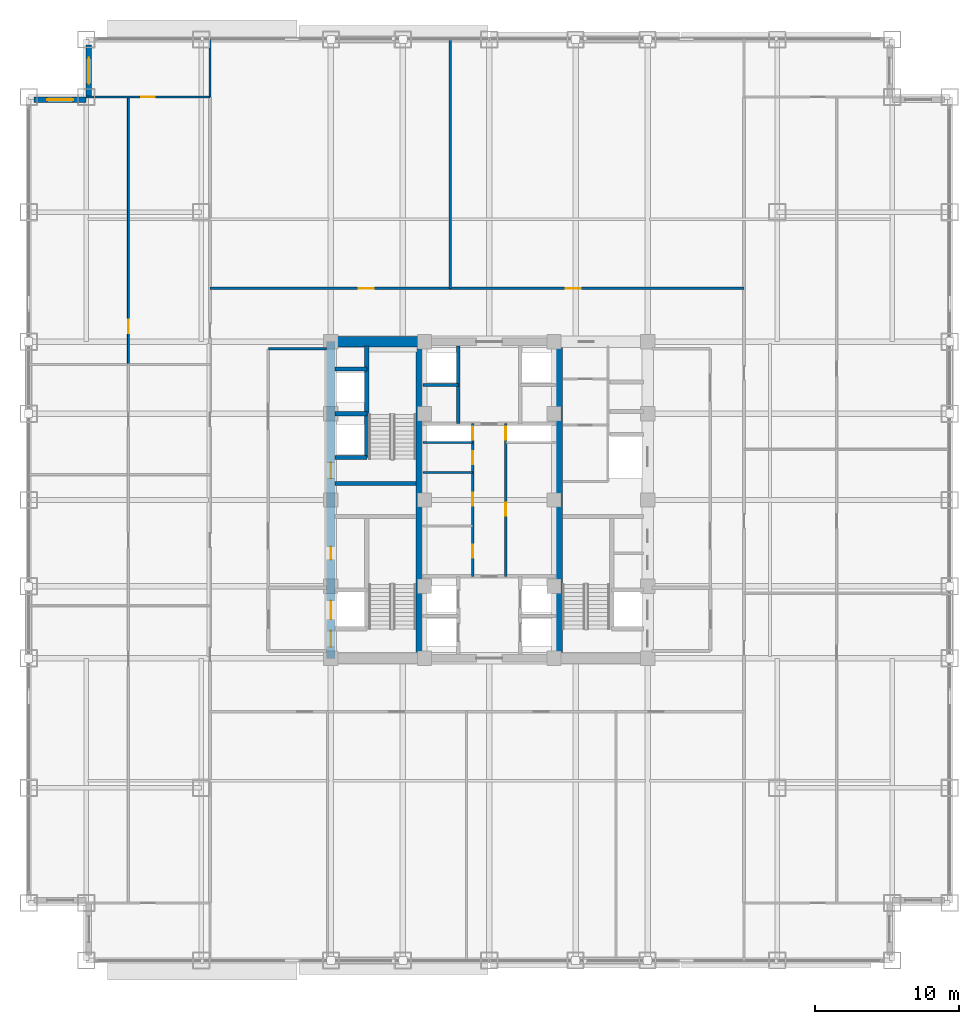
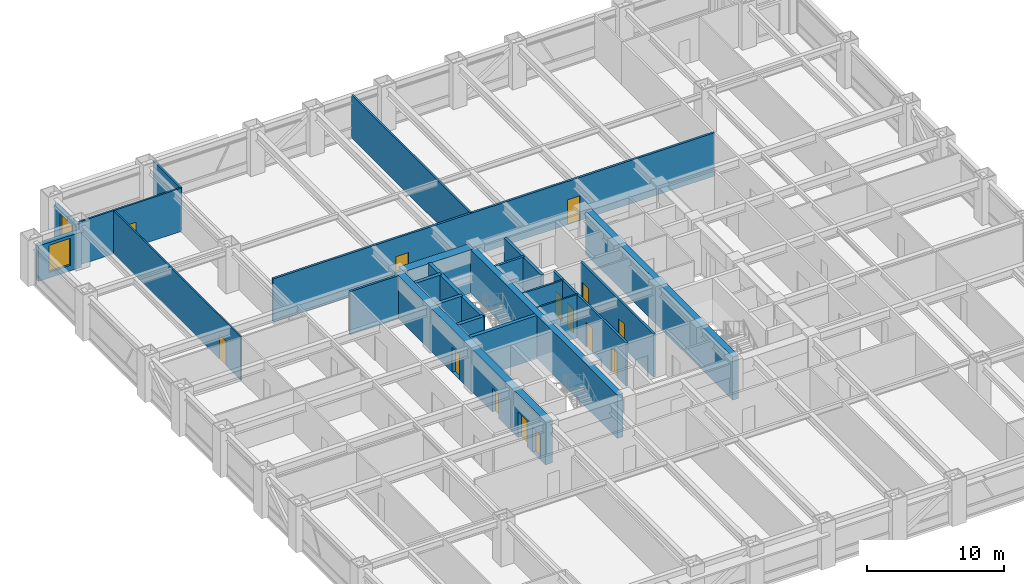
# One storey, part 25 of 32: 23 walls, 14 doors, 2 windows, 16 openings.
"""IFC4 building model written with IfcOpenShell, lengths in metres."""

from ifc_helpers import new_model, si_unit, direction, frame, frame_2d, origin, place, context, subcontext, project, spatial, rectangle, extrude, source, transform, mapped, material, layer, layer_set, type_object, element, fill, save


model = new_model("IFC4")

# Units and contexts
model_context = context("Model", 3, precision=1e-05, world=origin(), true_north=direction((0.0, 1.0)))
body_context = subcontext(model_context, "Body", "Model", "MODEL_VIEW")
ifc_project = project(units=[si_unit("LENGTHUNIT", "METRE"), si_unit("AREAUNIT", "SQUARE_METRE"), si_unit("VOLUMEUNIT", "CUBIC_METRE"), si_unit("PLANEANGLEUNIT", "RADIAN"), si_unit("MASSUNIT", "GRAM", prefix="KILO")], contexts=[model_context])

# Site, building, storey
site_placement = place(None, origin())
site = spatial("IfcSite", under=ifc_project, at=site_placement, CompositionType="ELEMENT")
building_placement = place(site_placement, origin())
building = spatial("IfcBuilding", under=site, at=building_placement, Name="Khorayat Bourse Tower", CompositionType="ELEMENT")
storey_placement = place(building_placement, frame((0.0, 0.0, 132.39990234375)))
storey = spatial("IfcBuildingStorey", under=building, at=storey_placement, Name="L30", CompositionType="ELEMENT", Elevation=132.39990234375)

# Wall, openings, doors
ifc_material_1 = material(Name="Concrete C60/75", Category="concrete")
ifc_layer_1 = layer(ifc_material_1, 0.60009765625)
ifc_layer_set_1 = layer_set([ifc_layer_1], Name="Concrete C60/75")
wall_type_1 = type_object("IfcWallType", Name="WAL-CORE-600", PredefinedType="SHEAR", material=ifc_layer_set_1)
shared_shape_1 = source(origin(), body_context, "Body", "SweptSolid", [
    extrude(rectangle(XDim=22.0, YDim=0.60009765625, at=frame_2d((11.0, 0.0))), origin(), (0.0, 0.0, 1.0), 3.840087890625),
])
wall_1_placement = place(storey_placement, frame((-11.0, -11.0, 0.0), z_axis=(0.0, 0.0, 1.0), x_axis=(0.0, 1.0, 0.0)))
wall_1 = element("IfcWall", 1, at=wall_1_placement, inside=storey, type_object=wall_type_1, Name="L30 Core Shear Wall CORE-W", PredefinedType="SHEAR", context=body_context, shape_type="MappedRepresentation", body=[
    mapped(shared_shape_1, transform((0.0, 0.0, 0.0), scale=1.0)),
])
shared_shape_2 = source(origin(), body_context, "Body", "SweptSolid", [
    extrude(rectangle(XDim=1.10009765625, YDim=2.199951171875, at=frame_2d((0.550048828125, 1.10009765625))), frame((0.0, 0.31005859375, 0.0), z_axis=(0.0, -1.0, 0.0), x_axis=(1.0, 0.0, 0.0)), (0.0, 0.0, 1.0), 0.6201171875),
])
opening_1_placement = place(wall_1_placement, frame((0.800048828125, 0.0, 0.0)))
opening_1 = element("IfcOpeningElement", 2, at=opening_1_placement, cuts=wall_1, Name="Opening DI-01", PredefinedType="OPENING", context=body_context, shape_type="MappedRepresentation", body=[
    mapped(shared_shape_2, transform((0.0, 0.0, 0.0), scale=1.0)),
])
opening_2_placement = place(wall_1_placement, frame((12.5, 0.0, 0.0)))
opening_2 = element("IfcOpeningElement", 3, at=opening_2_placement, cuts=wall_1, Name="Opening DI-01", PredefinedType="OPENING", context=body_context, shape_type="MappedRepresentation", body=[
    mapped(shared_shape_2, transform((0.0, 0.0, 0.0), scale=1.0)),
])
shared_shape_3 = source(origin(), body_context, "Body", "SweptSolid", [
    extrude(rectangle(XDim=0.89990234375, YDim=2.14990234375, at=frame_2d((0.449951171875, 1.074951171875))), frame((0.0, 0.31005859375, 0.0), z_axis=(0.0, -1.0, 0.0), x_axis=(1.0, 0.0, 0.0)), (0.0, 0.0, 1.0), 0.6201171875),
])
opening_3_placement = place(wall_1_placement, frame((6.85009765625, 0.0, 0.0)))
opening_3 = element("IfcOpeningElement", 4, at=opening_3_placement, cuts=wall_1, Name="Opening DI-06", PredefinedType="OPENING", context=body_context, shape_type="MappedRepresentation", body=[
    mapped(shared_shape_3, transform((0.0, 0.0, 0.0), scale=1.0)),
])
shared_shape_4 = source(origin(), body_context, "Body", "SweptSolid", [
    extrude(rectangle(XDim=1.300048828125, YDim=2.300048828125, at=frame_2d((0.64990234375, 1.14990234375))), frame((0.0, 0.31005859375, 0.0), z_axis=(0.0, -1.0, 0.0), x_axis=(1.0, 0.0, 0.0)), (0.0, 0.0, 1.0), 0.6201171875),
])
opening_4_placement = place(wall_1_placement, frame((2.699951171875, 0.0, 0.0)))
opening_4 = element("IfcOpeningElement", 5, at=opening_4_placement, cuts=wall_1, Name="Opening LD-02", PredefinedType="OPENING", context=body_context, shape_type="MappedRepresentation", body=[
    mapped(shared_shape_4, transform((0.0, 0.0, 0.0), scale=1.0)),
])
ifc_material_2 = material(Name="Fire-rated steel acoustic leaf", Category="steel")
door_type_1 = type_object("IfcDoorType", Name="DR-INT-STAIR-1100", OperationType="NOTDEFINED", PredefinedType="DOOR", material=ifc_material_2)
shared_shape_5 = source(origin(), body_context, "Body", "SweptSolid", [
    extrude(rectangle(XDim=1.10009765625, YDim=2.199951171875, at=frame_2d((0.550048828125, 1.10009765625))), frame((0.0, 0.02490234375, 0.0), z_axis=(0.0, -1.0, 0.0), x_axis=(1.0, 0.0, 0.0)), (0.0, 0.0, 1.0), 0.050048828125),
])
door_1_placement = place(opening_1_placement, origin())
door_1 = element("IfcDoor", 6, at=door_1_placement, inside=storey, type_object=door_type_1, Name="L30 Exit Stair 1 Door", OperationType="SINGLE_SWING_RIGHT", OverallHeight=2.199951171875, OverallWidth=1.10009765625, PredefinedType="DOOR", context=body_context, shape_type="MappedRepresentation", body=[
    mapped(shared_shape_5, transform((0.0, 0.0, 0.0), scale=1.0)),
])
fill(opening_1, door_1)
door_2_placement = place(opening_2_placement, origin())
door_2 = element("IfcDoor", 7, at=door_2_placement, inside=storey, type_object=door_type_1, Name="L30 Exit Stair 2 Door", OperationType="SINGLE_SWING_RIGHT", OverallHeight=2.199951171875, OverallWidth=1.10009765625, PredefinedType="DOOR", context=body_context, shape_type="MappedRepresentation", body=[
    mapped(shared_shape_5, transform((0.0, 0.0, 0.0), scale=1.0)),
])
fill(opening_2, door_2)
ifc_material_3 = material(Name="Moisture-resistant laminate washroom door")
door_type_2 = type_object("IfcDoorType", Name="DR-INT-WC-900", OperationType="NOTDEFINED", PredefinedType="DOOR", material=ifc_material_3)
shared_shape_6 = source(origin(), body_context, "Body", "SweptSolid", [
    extrude(rectangle(XDim=0.89990234375, YDim=2.14990234375, at=frame_2d((0.449951171875, 1.074951171875))), frame((0.0, 0.02490234375, 0.0), z_axis=(0.0, -1.0, 0.0), x_axis=(1.0, 0.0, 0.0)), (0.0, 0.0, 1.0), 0.050048828125),
])
door_3_placement = place(opening_3_placement, origin())
door_3 = element("IfcDoor", 8, at=door_3_placement, inside=storey, type_object=door_type_2, Name="L30 Electrical Switch Plant Room Door", OperationType="SINGLE_SWING_RIGHT", OverallHeight=2.14990234375, OverallWidth=0.89990234375, PredefinedType="DOOR", context=body_context, shape_type="MappedRepresentation", body=[
    mapped(shared_shape_6, transform((0.0, 0.0, 0.0), scale=1.0)),
])
fill(opening_3, door_3)
ifc_material_4 = material(Name="Fire-rated stainless-steel sliding landing door", Category="steel")
door_type_3 = type_object("IfcDoorType", Name="DR-LIFT-FF-1300", OperationType="NOTDEFINED", PredefinedType="DOOR", material=ifc_material_4)
shared_shape_7 = source(origin(), body_context, "Body", "SweptSolid", [
    extrude(rectangle(XDim=1.300048828125, YDim=2.300048828125, at=frame_2d((0.64990234375, 1.14990234375))), frame((0.0, 0.02490234375, 0.0), z_axis=(0.0, -1.0, 0.0), x_axis=(1.0, 0.0, 0.0)), (0.0, 0.0, 1.0), 0.050048828125),
])
door_4_placement = place(opening_4_placement, origin())
door_4 = element("IfcDoor", 9, at=door_4_placement, inside=storey, type_object=door_type_3, Name="L30 Lift FFL-01 Sliding Landing Door", OperationType="SLIDING_TO_LEFT", OverallHeight=2.300048828125, OverallWidth=1.300048828125, PredefinedType="DOOR", context=body_context, shape_type="MappedRepresentation", body=[
    mapped(shared_shape_7, transform((0.0, 0.0, 0.0), scale=1.0)),
])
fill(opening_4, door_4)

# Walls
ifc_material_5 = material(Name="Concrete C52/65", Category="concrete")
ifc_layer_2 = layer(ifc_material_5, 0.5)
ifc_layer_set_2 = layer_set([ifc_layer_2], Name="Concrete C52/65")
wall_type_2 = type_object("IfcWallType", Name="WAL-CORE-500", PredefinedType="SHEAR", material=ifc_layer_set_2)
shared_shape_8 = source(origin(), body_context, "Body", "SweptSolid", [
    extrude(rectangle(XDim=21.39990234375, YDim=0.5, at=frame_2d((10.699951171875, 0.0))), origin(), (0.0, 0.0, 1.0), 3.840087890625),
])
for number, where, z_axis, x_axis, name in (
    (10, (-4.85009765625, -10.699951171875, 0.0), (0.0, 0.0, 1.0), (0.0, 1.0, 0.0), "L30 Core Shear Wall PIER-W"),
    (11, (4.85009765625, -10.699951171875, 0.0), (0.0, 0.0, 1.0), (0.0, 1.0, 0.0), "L30 Core Shear Wall PIER-E"),
):
    element("IfcWall", number, at=place(storey_placement, frame(where, z_axis=z_axis, x_axis=x_axis)), inside=storey, type_object=wall_type_2, Name=name, PredefinedType="SHEAR", context=body_context, shape_type="MappedRepresentation", body=[
        mapped(shared_shape_8, transform((0.0, 0.0, 0.0), scale=1.0)),
    ])
ifc_material_6 = material(Name="Concrete C72/90", Category="concrete")
ifc_layer_3 = layer(ifc_material_6, 0.75)
ifc_layer_set_3 = layer_set([ifc_layer_3], Name="Concrete C72/90")
wall_type_3 = type_object("IfcWallType", Name="WAL-CORE-750", PredefinedType="SHEAR", material=ifc_layer_set_3)
shared_shape_9 = source(origin(), body_context, "Body", "SweptSolid", [
    extrude(rectangle(XDim=5.849853515625, YDim=0.75, at=frame_2d((2.9248046875, 0.0))), origin(), (0.0, 0.0, 1.0), 3.840087890625),
])
wall_2_placement = place(storey_placement, frame((-10.699951171875, 11.0, 0.0), z_axis=(0.0, 0.0, 1.0), x_axis=(1.0, 0.0, 0.0)))
element("IfcWall", 12, at=wall_2_placement, inside=storey, type_object=wall_type_3, Name="L30 Core Shear Wall PIER-WN", PredefinedType="SHEAR", context=body_context, shape_type="MappedRepresentation", body=[
    mapped(shared_shape_9, transform((0.0, 0.0, 0.0), scale=1.0)),
])
ifc_material_7 = material(Name="Concrete C50/60", Category="concrete")
ifc_layer_4 = layer(ifc_material_7, 0.300048828125)
ifc_layer_set_4 = layer_set([ifc_layer_4], Name="Concrete C50/60")
wall_type_4 = type_object("IfcWallType", Name="WAL-SHAFT-300", PredefinedType="SHEAR", material=ifc_layer_set_4)
shared_shape_10 = source(origin(), body_context, "Body", "SweptSolid", [
    extrude(rectangle(XDim=5.599853515625, YDim=0.300048828125, at=frame_2d((2.7998046875, 0.0))), origin(), (0.0, 0.0, 1.0), 3.840087890625),
])
wall_3_placement = place(storey_placement, frame((-10.699951171875, 1.14990234375, 0.0), z_axis=(0.0, 0.0, 1.0), x_axis=(1.0, 0.0, 0.0)))
element("IfcWall", 13, at=wall_3_placement, inside=storey, type_object=wall_type_4, Name="L30 Core Shear Wall ST2-DIV", PredefinedType="SHEAR", context=body_context, shape_type="MappedRepresentation", body=[
    mapped(shared_shape_10, transform((0.0, 0.0, 0.0), scale=1.0)),
])

# Wall, opening, window
ifc_material_8 = material(Name="Precast concrete C45/55", Category="concrete")
ifc_layer_5 = layer(ifc_material_8, 0.3798828125)
ifc_layer_set_5 = layer_set([ifc_layer_5], Name="Precast concrete C45/55")
wall_type_5 = type_object("IfcWallType", Name="WAL-EXT-STONE-380", PredefinedType="STANDARD", material=ifc_layer_set_5)
shared_shape_11 = source(origin(), body_context, "Body", "SweptSolid", [
    extrude(rectangle(XDim=3.6201171875, YDim=0.3798828125, at=frame_2d((1.81005859375, 0.0))), origin(), (0.0, 0.0, 1.0), 3.14501953125),
])
wall_4_placement = place(storey_placement, frame((-27.81005859375, 28.0, 0.0), z_axis=(0.0, 0.0, 1.0), x_axis=(0.0, 1.0, 0.0)))
wall_4 = element("IfcWall", 14, at=wall_4_placement, inside=storey, type_object=wall_type_5, Name="L30 Re-Entrant Notch Limestone Wall NW-V", PredefinedType="STANDARD", context=body_context, shape_type="MappedRepresentation", body=[
    mapped(shared_shape_11, transform((0.0, 0.0, 0.0), scale=1.0)),
])
shared_shape_12 = source(origin(), body_context, "Body", "SweptSolid", [
    extrude(rectangle(XDim=1.800048828125, YDim=2.39990234375, at=frame_2d((0.89990234375, 1.199951171875))), frame((0.0, 0.199951171875, 0.0), z_axis=(0.0, -1.0, 0.0), x_axis=(1.0, 0.0, 0.0)), (0.0, 0.0, 1.0), 0.39990234375),
])
opening_5_placement = place(wall_4_placement, frame((0.909912109375, 0.0, 0.5)))
opening_5 = element("IfcOpeningElement", 15, at=opening_5_placement, cuts=wall_4, Name="Opening WN-04", PredefinedType="OPENING", context=body_context, shape_type="MappedRepresentation", body=[
    mapped(shared_shape_12, transform((0.0, 0.0, 0.0), scale=1.0)),
])
ifc_material_9 = material(Name="Low-E acoustic laminated double glazing", Category="glass")
window_type = type_object("IfcWindowType", Name="WIN-NOTCH-1800x2400", PartitioningType="SINGLE_PANEL", PredefinedType="WINDOW", material=ifc_material_9)
shared_shape_13 = source(origin(), body_context, "Body", "SweptSolid", [
    extrude(rectangle(XDim=1.800048828125, YDim=2.39990234375, at=frame_2d((0.89990234375, 1.199951171875))), frame((0.0, 0.030029296875, 0.0), z_axis=(0.0, -1.0, 0.0), x_axis=(1.0, 0.0, 0.0)), (0.0, 0.0, 1.0), 0.06005859375),
])
window_1_placement = place(opening_5_placement, origin())
window_1 = element("IfcWindow", 16, at=window_1_placement, inside=storey, type_object=window_type, Name="L30 Facade Window 1", OverallHeight=2.39990234375, OverallWidth=1.800048828125, PartitioningType="SINGLE_PANEL", PredefinedType="WINDOW", context=body_context, shape_type="MappedRepresentation", body=[
    mapped(shared_shape_13, transform((0.0, 0.0, 0.0), scale=1.0)),
])
fill(opening_5, window_1)

wall_5_placement = place(storey_placement, frame((-28.0, 27.81005859375, 0.0), z_axis=(0.0, 0.0, 1.0), x_axis=(-1.0, 0.0, 0.0)))
wall_5 = element("IfcWall", 17, at=wall_5_placement, inside=storey, type_object=wall_type_5, Name="L30 Re-Entrant Notch Limestone Wall NW-H", PredefinedType="STANDARD", context=body_context, shape_type="MappedRepresentation", body=[
    mapped(shared_shape_11, transform((0.0, 0.0, 0.0), scale=1.0)),
])
opening_6_placement = place(wall_5_placement, frame((0.909912109375, 0.0, 0.5)))
opening_6 = element("IfcOpeningElement", 18, at=opening_6_placement, cuts=wall_5, Name="Opening WN-04", PredefinedType="OPENING", context=body_context, shape_type="MappedRepresentation", body=[
    mapped(shared_shape_12, transform((0.0, 0.0, 0.0), scale=1.0)),
])
window_2_placement = place(opening_6_placement, origin())
window_2 = element("IfcWindow", 19, at=window_2_placement, inside=storey, type_object=window_type, Name="L30 Facade Window 1", OverallHeight=2.39990234375, OverallWidth=1.800048828125, PartitioningType="SINGLE_PANEL", PredefinedType="WINDOW", context=body_context, shape_type="MappedRepresentation", body=[
    mapped(shared_shape_13, transform((0.0, 0.0, 0.0), scale=1.0)),
])
fill(opening_6, window_2)

# Walls
shared_shape_14 = source(origin(), body_context, "Body", "SweptSolid", [
    extrude(rectangle(XDim=2.199951171875, YDim=0.300048828125, at=frame_2d((1.10009765625, 0.0))), origin(), (0.0, 0.0, 1.0), 3.840087890625),
])
for number, where, z_axis, x_axis, name in (
    (20, (-10.699951171875, 2.949951171875, 0.0), (0.0, 0.0, 1.0), (1.0, 0.0, 0.0), "L30 Partition WAL-L30-WPIER-H1S"),
    (21, (-10.699951171875, 6.0, 0.0), (0.0, 0.0, 1.0), (1.0, 0.0, 0.0), "L30 Partition WAL-L30-WPIER-H12"),
    (22, (-10.699951171875, 9.10009765625, 0.0), (0.0, 0.0, 1.0), (1.0, 0.0, 0.0), "L30 Partition WAL-L30-WPIER-H2N"),
):
    element("IfcWall", number, at=place(storey_placement, frame(where, z_axis=z_axis, x_axis=x_axis)), inside=storey, type_object=wall_type_4, Name=name, PredefinedType="SHEAR", context=body_context, shape_type="MappedRepresentation", body=[
        mapped(shared_shape_14, transform((0.0, 0.0, 0.0), scale=1.0)),
    ])
shared_shape_15 = source(origin(), body_context, "Body", "SweptSolid", [
    extrude(rectangle(XDim=7.75, YDim=0.300048828125, at=frame_2d((3.875, 0.0))), origin(), (0.0, 0.0, 1.0), 3.840087890625),
])
wall_6_placement = place(storey_placement, frame((-8.5, 2.949951171875, 0.0), z_axis=(0.0, 0.0, 1.0), x_axis=(0.0, 1.0, 0.0)))
element("IfcWall", 23, at=wall_6_placement, inside=storey, type_object=wall_type_4, Name="L30 Partition WAL-L30-WPIER-ST2S", PredefinedType="SHEAR", context=body_context, shape_type="MappedRepresentation", body=[
    mapped(shared_shape_15, transform((0.0, 0.0, 0.0), scale=1.0)),
])
ifc_material_10 = material(Name="Gypsum plasterboard acoustic stud wall")
ifc_layer_6 = layer(ifc_material_10, 0.179931640625)
ifc_layer_set_6 = layer_set([ifc_layer_6], Name="Gypsum plasterboard acoustic stud wall")
wall_type_6 = type_object("IfcWallType", Name="WAL-PART-CORR-180", PredefinedType="PARTITIONING", material=ifc_layer_set_6)
shared_shape_16 = source(origin(), body_context, "Body", "SweptSolid", [
    extrude(rectangle(XDim=4.050048828125, YDim=0.179931640625, at=frame_2d((2.02490234375, 0.0))), origin(), (0.0, 0.0, 1.0), 3.840087890625),
])
wall_7_placement = place(storey_placement, frame((-15.35009765625, 10.5, 0.0), z_axis=(0.0, 0.0, 1.0), x_axis=(1.0, 0.0, 0.0)))
element("IfcWall", 24, at=wall_7_placement, inside=storey, type_object=wall_type_6, Name="L30 Partition WAL-L30-WLOB-N", PredefinedType="PARTITIONING", context=body_context, shape_type="MappedRepresentation", body=[
    mapped(shared_shape_16, transform((0.0, 0.0, 0.0), scale=1.0)),
])
ifc_material_11 = material(Name="Gypsum plasterboard twin-frame partition")
ifc_layer_7 = layer(ifc_material_11, 0.14990234375)
ifc_layer_set_7 = layer_set([ifc_layer_7], Name="Gypsum plasterboard twin-frame partition")
wall_type_7 = type_object("IfcWallType", Name="WAL-PART-SUITE-150", PredefinedType="PARTITIONING", material=ifc_layer_set_7)
shared_shape_17 = source(origin(), body_context, "Body", "SweptSolid", [
    extrude(rectangle(XDim=3.4501953125, YDim=0.14990234375, at=frame_2d((1.72509765625, 0.0))), origin(), (0.0, 0.0, 1.0), 3.840087890625),
])
wall_8_placement = place(storey_placement, frame((-4.60009765625, 4.0, 0.0), z_axis=(0.0, 0.0, 1.0), x_axis=(1.0, 0.0, 0.0)))
element("IfcWall", 25, at=wall_8_placement, inside=storey, type_object=wall_type_7, Name="L30 Partition WAL-L30-CRSW-S", PredefinedType="PARTITIONING", context=body_context, shape_type="MappedRepresentation", body=[
    mapped(shared_shape_17, transform((0.0, 0.0, 0.0), scale=1.0)),
])
shared_shape_18 = source(origin(), body_context, "Body", "SweptSolid", [
    extrude(rectangle(XDim=5.39990234375, YDim=0.25, at=frame_2d((2.699951171875, 0.0))), origin(), (0.0, 0.0, 1.0), 3.840087890625),
])
wall_9_placement = place(storey_placement, frame((-2.14990234375, 5.300048828125, 0.0), z_axis=(0.0, 0.0, 1.0), x_axis=(0.0, 1.0, 0.0)))
element("IfcWall", 26, at=wall_9_placement, inside=storey, type_object=wall_type_4, Name="L30 Partition WAL-L30-B2-W", PredefinedType="SHEAR", context=body_context, shape_type="MappedRepresentation", body=[
    mapped(shared_shape_18, transform((0.0, 0.0, 0.0), scale=1.0)),
])
shared_shape_19 = source(origin(), body_context, "Body", "SweptSolid", [
    extrude(rectangle(XDim=2.4501953125, YDim=0.199951171875, at=frame_2d((1.22509765625, 0.0))), origin(), (0.0, 0.0, 1.0), 3.840087890625),
])
wall_10_placement = place(storey_placement, frame((-4.60009765625, 8.0, 0.0), z_axis=(0.0, 0.0, 1.0), x_axis=(1.0, 0.0, 0.0)))
element("IfcWall", 27, at=wall_10_placement, inside=storey, type_object=wall_type_4, Name="L30 Partition WAL-L30-B2-MW", PredefinedType="SHEAR", context=body_context, shape_type="MappedRepresentation", body=[
    mapped(shared_shape_19, transform((0.0, 0.0, 0.0), scale=1.0)),
])

# Wall, openings, doors
shared_shape_20 = source(origin(), body_context, "Body", "SweptSolid", [
    extrude(rectangle(XDim=10.60009765625, YDim=0.179931640625, at=frame_2d((5.300048828125, 0.0))), origin(), (0.0, 0.0, 1.0), 3.840087890625),
])
wall_11_placement = place(storey_placement, frame((-1.14990234375, -5.300048828125, 0.0), z_axis=(0.0, 0.0, 1.0), x_axis=(0.0, 1.0, 0.0)))
wall_11 = element("IfcWall", 28, at=wall_11_placement, inside=storey, type_object=wall_type_6, Name="L30 Partition WAL-L30-CMW-L", PredefinedType="PARTITIONING", context=body_context, shape_type="MappedRepresentation", body=[
    mapped(shared_shape_20, transform((0.0, 0.0, 0.0), scale=1.0)),
])
shared_shape_21 = source(origin(), body_context, "Body", "SweptSolid", [
    extrude(rectangle(XDim=0.89990234375, YDim=2.14990234375, at=frame_2d((0.449951171875, 1.074951171875))), frame((0.0, 0.099853515625, 0.0), z_axis=(0.0, -1.0, 0.0), x_axis=(1.0, 0.0, 0.0)), (0.0, 0.0, 1.0), 0.199951171875),
])
opening_7_placement = place(wall_11_placement, frame((1.300048828125, 0.0, 0.0)))
opening_7 = element("IfcOpeningElement", 29, at=opening_7_placement, cuts=wall_11, Name="Opening DI-06", PredefinedType="OPENING", context=body_context, shape_type="MappedRepresentation", body=[
    mapped(shared_shape_21, transform((0.0, 0.0, 0.0), scale=1.0)),
])
opening_8_placement = place(wall_11_placement, frame((4.89990234375, 0.0, 0.0)))
opening_8 = element("IfcOpeningElement", 30, at=opening_8_placement, cuts=wall_11, Name="Opening DI-06", PredefinedType="OPENING", context=body_context, shape_type="MappedRepresentation", body=[
    mapped(shared_shape_21, transform((0.0, 0.0, 0.0), scale=1.0)),
])
opening_9_placement = place(wall_11_placement, frame((7.800048828125, 0.0, 0.0)))
opening_9 = element("IfcOpeningElement", 31, at=opening_9_placement, cuts=wall_11, Name="Opening DI-06", PredefinedType="OPENING", context=body_context, shape_type="MappedRepresentation", body=[
    mapped(shared_shape_21, transform((0.0, 0.0, 0.0), scale=1.0)),
])
opening_10_placement = place(wall_11_placement, frame((9.47509765625, 0.0, 0.0)))
opening_10 = element("IfcOpeningElement", 32, at=opening_10_placement, cuts=wall_11, Name="Opening DI-06", PredefinedType="OPENING", context=body_context, shape_type="MappedRepresentation", body=[
    mapped(shared_shape_21, transform((0.0, 0.0, 0.0), scale=1.0)),
])
door_5_placement = place(opening_7_placement, origin())
door_5 = element("IfcDoor", 33, at=door_5_placement, inside=storey, type_object=door_type_2, Name="L30 Male Core Washroom Door", OperationType="SINGLE_SWING_RIGHT", OverallHeight=2.14990234375, OverallWidth=0.89990234375, PredefinedType="DOOR", context=body_context, shape_type="MappedRepresentation", body=[
    mapped(shared_shape_6, transform((0.0, 0.0, 0.0), scale=1.0)),
])
fill(opening_7, door_5)
door_6_placement = place(opening_8_placement, origin())
door_6 = element("IfcDoor", 34, at=door_6_placement, inside=storey, type_object=door_type_2, Name="L30 AHU Fan Plant Room Door", OperationType="SINGLE_SWING_LEFT", OverallHeight=2.14990234375, OverallWidth=0.89990234375, PredefinedType="DOOR", context=body_context, shape_type="MappedRepresentation", body=[
    mapped(shared_shape_6, transform((0.0, 0.0, 0.0), scale=1.0)),
])
fill(opening_8, door_6)
door_7_placement = place(opening_9_placement, origin())
door_7 = element("IfcDoor", 35, at=door_7_placement, inside=storey, type_object=door_type_2, Name="L30 Janitor Store Door", OperationType="SINGLE_SWING_RIGHT", OverallHeight=2.14990234375, OverallWidth=0.89990234375, PredefinedType="DOOR", context=body_context, shape_type="MappedRepresentation", body=[
    mapped(shared_shape_6, transform((0.0, 0.0, 0.0), scale=1.0)),
])
fill(opening_9, door_7)
door_8_placement = place(opening_10_placement, origin())
door_8 = element("IfcDoor", 36, at=door_8_placement, inside=storey, type_object=door_type_2, Name="L30 West Core Riser Door", OperationType="SINGLE_SWING_LEFT", OverallHeight=2.14990234375, OverallWidth=0.89990234375, PredefinedType="DOOR", context=body_context, shape_type="MappedRepresentation", body=[
    mapped(shared_shape_6, transform((0.0, 0.0, 0.0), scale=1.0)),
])
fill(opening_10, door_8)

wall_12_placement = place(storey_placement, frame((1.14990234375, -5.300048828125, 0.0), z_axis=(0.0, 0.0, 1.0), x_axis=(0.0, 1.0, 0.0)))
wall_12 = element("IfcWall", 37, at=wall_12_placement, inside=storey, type_object=wall_type_6, Name="L30 Partition WAL-L30-CME-L", PredefinedType="PARTITIONING", context=body_context, shape_type="MappedRepresentation", body=[
    mapped(shared_shape_20, transform((0.0, 0.0, 0.0), scale=1.0)),
])
opening_11_placement = place(wall_12_placement, frame((4.199951171875, 0.0, 0.0)))
opening_11 = element("IfcOpeningElement", 38, at=opening_11_placement, cuts=wall_12, Name="Opening DI-06", PredefinedType="OPENING", context=body_context, shape_type="MappedRepresentation", body=[
    mapped(shared_shape_21, transform((0.0, 0.0, 0.0), scale=1.0)),
])
opening_12_placement = place(wall_12_placement, frame((9.47509765625, 0.0, 0.0)))
opening_12 = element("IfcOpeningElement", 39, at=opening_12_placement, cuts=wall_12, Name="Opening DI-06", PredefinedType="OPENING", context=body_context, shape_type="MappedRepresentation", body=[
    mapped(shared_shape_21, transform((0.0, 0.0, 0.0), scale=1.0)),
])
door_9_placement = place(opening_11_placement, origin())
door_9 = element("IfcDoor", 40, at=door_9_placement, inside=storey, type_object=door_type_2, Name="L30 Female Core Washroom Door", OperationType="SINGLE_SWING_RIGHT", OverallHeight=2.14990234375, OverallWidth=0.89990234375, PredefinedType="DOOR", context=body_context, shape_type="MappedRepresentation", body=[
    mapped(shared_shape_6, transform((0.0, 0.0, 0.0), scale=1.0)),
])
fill(opening_11, door_9)
door_10_placement = place(opening_12_placement, origin())
door_10 = element("IfcDoor", 41, at=door_10_placement, inside=storey, type_object=door_type_2, Name="L30 East Core Riser Door", OperationType="SINGLE_SWING_RIGHT", OverallHeight=2.14990234375, OverallWidth=0.89990234375, PredefinedType="DOOR", context=body_context, shape_type="MappedRepresentation", body=[
    mapped(shared_shape_6, transform((0.0, 0.0, 0.0), scale=1.0)),
])
fill(opening_12, door_10)

# Wall
ifc_material_12 = material(Name="Moisture-resistant masonry partition", Category="masonry")
ifc_layer_8 = layer(ifc_material_12, 0.139892578125)
ifc_layer_set_8 = layer_set([ifc_layer_8], Name="Moisture-resistant masonry partition")
wall_type_8 = type_object("IfcWallType", Name="WAL-PART-WET-140", PredefinedType="PARTITIONING", material=ifc_layer_set_8)
shared_shape_22 = source(origin(), body_context, "Body", "SweptSolid", [
    extrude(rectangle(XDim=3.4501953125, YDim=0.139892578125, at=frame_2d((1.72509765625, 0.0))), origin(), (0.0, 0.0, 1.0), 3.840087890625),
])
wall_13_placement = place(storey_placement, frame((-4.60009765625, 1.89990234375, 0.0), z_axis=(0.0, 0.0, 1.0), x_axis=(1.0, 0.0, 0.0)))
element("IfcWall", 42, at=wall_13_placement, inside=storey, type_object=wall_type_8, Name="L30 Partition WAL-L30-CMW-D2", PredefinedType="PARTITIONING", context=body_context, shape_type="MappedRepresentation", body=[
    mapped(shared_shape_22, transform((0.0, 0.0, 0.0), scale=1.0)),
])

# Wall, openings, doors
shared_shape_23 = source(origin(), body_context, "Body", "SweptSolid", [
    extrude(rectangle(XDim=37.099853515625, YDim=0.179931640625, at=frame_2d((18.5498046875, 0.0))), origin(), (0.0, 0.0, 1.0), 3.840087890625),
])
wall_14_placement = place(storey_placement, frame((-19.39990234375, 14.699951171875, 0.0), z_axis=(0.0, 0.0, 1.0), x_axis=(1.0, 0.0, 0.0)))
wall_14 = element("IfcWall", 43, at=wall_14_placement, inside=storey, type_object=wall_type_6, Name="L30 Partition WAL-L30-NCORR", PredefinedType="PARTITIONING", context=body_context, shape_type="MappedRepresentation", body=[
    mapped(shared_shape_23, transform((0.0, 0.0, 0.0), scale=1.0)),
])
shared_shape_24 = source(origin(), body_context, "Body", "SweptSolid", [
    extrude(rectangle(XDim=1.050048828125, YDim=2.199951171875, at=frame_2d((0.52490234375, 1.10009765625))), frame((0.0, 0.099853515625, 0.0), z_axis=(0.0, -1.0, 0.0), x_axis=(1.0, 0.0, 0.0)), (0.0, 0.0, 1.0), 0.199951171875),
])
opening_13_placement = place(wall_14_placement, frame((10.322509765625, 0.0, 0.0)))
opening_13 = element("IfcOpeningElement", 44, at=opening_13_placement, cuts=wall_14, Name="Opening DI-04", PredefinedType="OPENING", context=body_context, shape_type="MappedRepresentation", body=[
    mapped(shared_shape_24, transform((0.0, 0.0, 0.0), scale=1.0)),
])
opening_14_placement = place(wall_14_placement, frame((24.722412109375, 0.0, 0.0)))
opening_14 = element("IfcOpeningElement", 45, at=opening_14_placement, cuts=wall_14, Name="Opening DI-04", PredefinedType="OPENING", context=body_context, shape_type="MappedRepresentation", body=[
    mapped(shared_shape_24, transform((0.0, 0.0, 0.0), scale=1.0)),
])
ifc_material_13 = material(Name="Fire-rated oak veneer suite entrance door")
door_type_4 = type_object("IfcDoorType", Name="DR-INT-SUITE-1050", OperationType="NOTDEFINED", PredefinedType="DOOR", material=ifc_material_13)
shared_shape_25 = source(origin(), body_context, "Body", "SweptSolid", [
    extrude(rectangle(XDim=1.050048828125, YDim=2.199951171875, at=frame_2d((0.52490234375, 1.10009765625))), frame((0.0, 0.02490234375, 0.0), z_axis=(0.0, -1.0, 0.0), x_axis=(1.0, 0.0, 0.0)), (0.0, 0.0, 1.0), 0.050048828125),
])
door_11_placement = place(opening_13_placement, origin())
door_11 = element("IfcDoor", 46, at=door_11_placement, inside=storey, type_object=door_type_4, Name="L30 Members Club Room N1 Door", OperationType="SINGLE_SWING_RIGHT", OverallHeight=2.199951171875, OverallWidth=1.050048828125, PredefinedType="DOOR", context=body_context, shape_type="MappedRepresentation", body=[
    mapped(shared_shape_25, transform((0.0, 0.0, 0.0), scale=1.0)),
])
fill(opening_13, door_11)
door_12_placement = place(opening_14_placement, origin())
door_12 = element("IfcDoor", 47, at=door_12_placement, inside=storey, type_object=door_type_4, Name="L30 Executive Wellness Fitness Gym N2 Door", OperationType="SINGLE_SWING_LEFT", OverallHeight=2.199951171875, OverallWidth=1.050048828125, PredefinedType="DOOR", context=body_context, shape_type="MappedRepresentation", body=[
    mapped(shared_shape_25, transform((0.0, 0.0, 0.0), scale=1.0)),
])
fill(opening_14, door_12)

# Wall
shared_shape_26 = source(origin(), body_context, "Body", "SweptSolid", [
    extrude(rectangle(XDim=4.0, YDim=0.14990234375, at=frame_2d((2.0, 0.0))), origin(), (0.0, 0.0, 1.0), 3.840087890625),
])
wall_15_placement = place(storey_placement, frame((-19.39990234375, 28.0, 0.0), z_axis=(0.0, 0.0, 1.0), x_axis=(0.0, 1.0, 0.0)))
element("IfcWall", 48, at=wall_15_placement, inside=storey, type_object=wall_type_7, Name="L30 Partition WAL-L30-NCW-END", PredefinedType="PARTITIONING", context=body_context, shape_type="MappedRepresentation", body=[
    mapped(shared_shape_26, transform((0.0, 0.0, 0.0), scale=1.0)),
])

# Wall, opening, door
shared_shape_27 = source(origin(), body_context, "Body", "SweptSolid", [
    extrude(rectangle(XDim=8.60009765625, YDim=0.14990234375, at=frame_2d((4.300048828125, 0.0))), origin(), (0.0, 0.0, 1.0), 3.840087890625),
])
wall_16_placement = place(storey_placement, frame((-28.0, 28.0, 0.0), z_axis=(0.0, 0.0, 1.0), x_axis=(1.0, 0.0, 0.0)))
wall_16 = element("IfcWall", 49, at=wall_16_placement, inside=storey, type_object=wall_type_7, Name="L30 Partition WAL-L30-CNW", PredefinedType="PARTITIONING", context=body_context, shape_type="MappedRepresentation", body=[
    mapped(shared_shape_27, transform((0.0, 0.0, 0.0), scale=1.0)),
])
shared_shape_28 = source(origin(), body_context, "Body", "SweptSolid", [
    extrude(rectangle(XDim=0.949951171875, YDim=2.14990234375, at=frame_2d((0.47509765625, 1.074951171875))), frame((0.0, 0.0849609375, 0.0), z_axis=(0.0, -1.0, 0.0), x_axis=(1.0, 0.0, 0.0)), (0.0, 0.0, 1.0), 0.169921875),
])
opening_15_placement = place(wall_16_placement, frame((3.824951171875, 0.0, 0.0)))
opening_15 = element("IfcOpeningElement", 50, at=opening_15_placement, cuts=wall_16, Name="Opening DI-05", PredefinedType="OPENING", context=body_context, shape_type="MappedRepresentation", body=[
    mapped(shared_shape_28, transform((0.0, 0.0, 0.0), scale=1.0)),
])
ifc_material_14 = material(Name="Acoustic oak veneer office door")
door_type_5 = type_object("IfcDoorType", Name="DR-INT-OFFICE-950", OperationType="NOTDEFINED", PredefinedType="DOOR", material=ifc_material_14)
shared_shape_29 = source(origin(), body_context, "Body", "SweptSolid", [
    extrude(rectangle(XDim=0.949951171875, YDim=2.14990234375, at=frame_2d((0.47509765625, 1.074951171875))), frame((0.0, 0.02490234375, 0.0), z_axis=(0.0, -1.0, 0.0), x_axis=(1.0, 0.0, 0.0)), (0.0, 0.0, 1.0), 0.050048828125),
])
door_13_placement = place(opening_15_placement, origin())
door_13 = element("IfcDoor", 51, at=door_13_placement, inside=storey, type_object=door_type_5, Name="L30 North-West Corner Meeting Room Door", OperationType="SINGLE_SWING_LEFT", OverallHeight=2.14990234375, OverallWidth=0.949951171875, PredefinedType="DOOR", context=body_context, shape_type="MappedRepresentation", body=[
    mapped(shared_shape_29, transform((0.0, 0.0, 0.0), scale=1.0)),
])
fill(opening_15, door_13)

# Wall
shared_shape_30 = source(origin(), body_context, "Body", "SweptSolid", [
    extrude(rectangle(XDim=17.300048828125, YDim=0.14990234375, at=frame_2d((8.64990234375, 0.0))), origin(), (0.0, 0.0, 1.0), 3.840087890625),
])
wall_17_placement = place(storey_placement, frame((-2.705078125, 14.699951171875, 0.0), z_axis=(0.0, 0.0, 1.0), x_axis=(0.0, 1.0, 0.0)))
element("IfcWall", 52, at=wall_17_placement, inside=storey, type_object=wall_type_7, Name="L30 Partition WAL-L30-NDV-1", PredefinedType="PARTITIONING", context=body_context, shape_type="MappedRepresentation", body=[
    mapped(shared_shape_30, transform((0.0, 0.0, 0.0), scale=1.0)),
])

# Wall, opening, door
ifc_material_15 = material(Name="Gypsum plasterboard partition")
ifc_layer_9 = layer(ifc_material_15, 0.125)
ifc_layer_set_9 = layer_set([ifc_layer_9], Name="Gypsum plasterboard partition")
wall_type_9 = type_object("IfcWallType", Name="WAL-PART-ROOM-125", PredefinedType="PARTITIONING", material=ifc_layer_set_9)
shared_shape_31 = source(origin(), body_context, "Body", "SweptSolid", [
    extrude(rectangle(XDim=18.592041015625, YDim=0.125, at=frame_2d((9.2958984375, 0.0))), origin(), (0.0, 0.0, 1.0), 3.840087890625),
])
wall_18_placement = place(storey_placement, frame((-25.070068359375, 9.407958984375, 0.0), z_axis=(0.0, 0.0, 1.0), x_axis=(0.0, 1.0, 0.0)))
wall_18 = element("IfcWall", 53, at=wall_18_placement, inside=storey, type_object=wall_type_9, Name="L30 Partition WAL-L30-WDP-4", PredefinedType="PARTITIONING", context=body_context, shape_type="MappedRepresentation", body=[
    mapped(shared_shape_31, transform((0.0, 0.0, 0.0), scale=1.0)),
])
shared_shape_32 = source(origin(), body_context, "Body", "SweptSolid", [
    extrude(rectangle(XDim=0.949951171875, YDim=2.14990234375, at=frame_2d((0.47509765625, 1.074951171875))), frame((0.0, 0.072509765625, 0.0), z_axis=(0.0, -1.0, 0.0), x_axis=(1.0, 0.0, 0.0)), (0.0, 0.0, 1.0), 0.14501953125),
])
opening_16_placement = place(wall_18_placement, frame((2.1708984375, 0.0, 0.0)))
opening_16 = element("IfcOpeningElement", 54, at=opening_16_placement, cuts=wall_18, Name="Opening DI-05", PredefinedType="OPENING", context=body_context, shape_type="MappedRepresentation", body=[
    mapped(shared_shape_32, transform((0.0, 0.0, 0.0), scale=1.0)),
])
door_14_placement = place(opening_16_placement, origin())
door_14 = element("IfcDoor", 55, at=door_14_placement, inside=storey, type_object=door_type_5, Name="L30 Quantitative Research Study W4B Door", OperationType="SINGLE_SWING_LEFT", OverallHeight=2.14990234375, OverallWidth=0.949951171875, PredefinedType="DOOR", context=body_context, shape_type="MappedRepresentation", body=[
    mapped(shared_shape_29, transform((0.0, 0.0, 0.0), scale=1.0)),
])
fill(opening_16, door_14)

save(model, "model.ifc")
